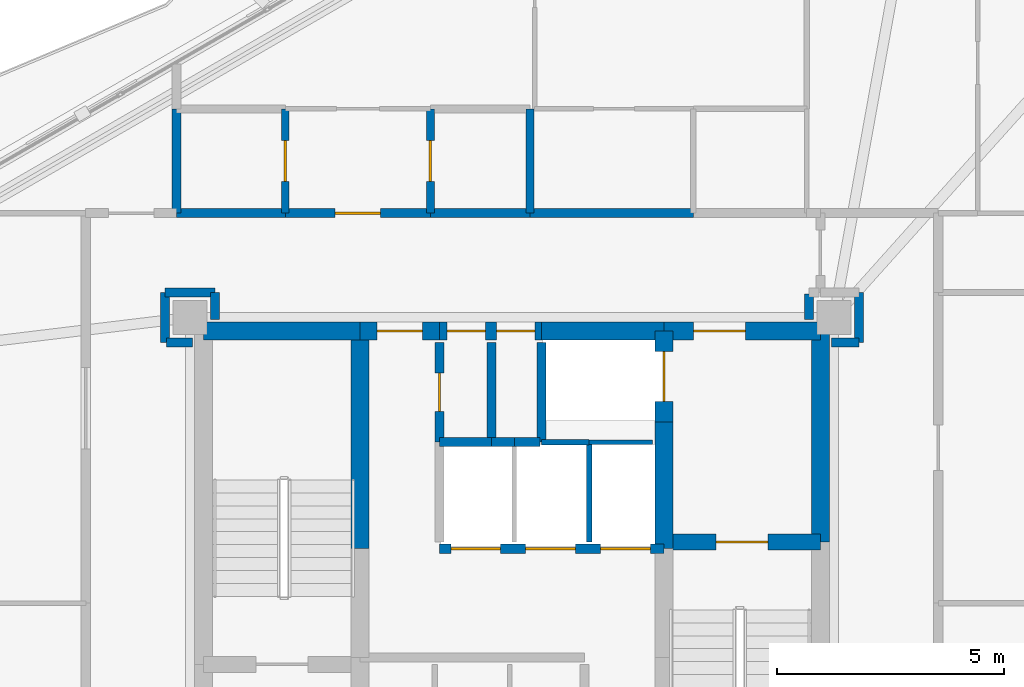
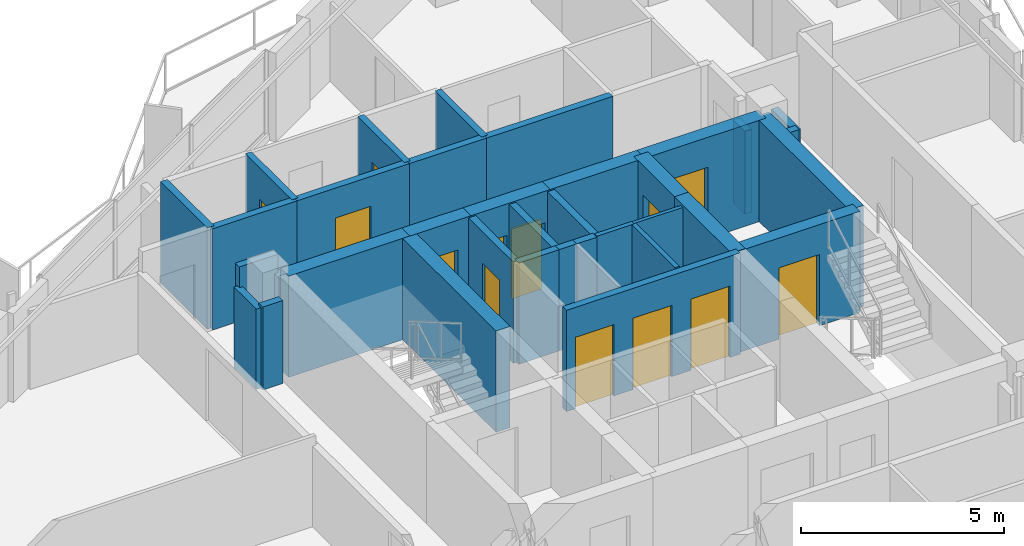
# One storey, part 17 of 22: 35 walls, 13 doors, 13 openings.
"""IFC4 building model written with IfcOpenShell, lengths in metres."""

from ifc_helpers import new_model, si_unit, direction, frame, frame_2d, origin, place, context, subcontext, project, spatial, rectangle, extrude, material, layer, layer_set, type_object, element, fill, save


model = new_model("IFC4")

# Units and contexts
model_context = context("Model", 3, precision=1e-05, world=origin(), true_north=direction((0.0, 1.0)))
body_context = subcontext(model_context, "Body", "Model", "MODEL_VIEW")
ifc_project = project(units=[si_unit("LENGTHUNIT", "METRE"), si_unit("AREAUNIT", "SQUARE_METRE"), si_unit("VOLUMEUNIT", "CUBIC_METRE"), si_unit("PLANEANGLEUNIT", "RADIAN"), si_unit("MASSUNIT", "GRAM", prefix="KILO")], contexts=[model_context])

# Site, building, storey
site_placement = place(None, origin())
site = spatial("IfcSite", under=ifc_project, at=site_placement, CompositionType="ELEMENT")
building_placement = place(site_placement, origin())
building = spatial("IfcBuilding", under=site, at=building_placement, Name="Mersakhor Tower and Convention Hall", CompositionType="ELEMENT")
storey_placement = place(building_placement, frame((0.0, 0.0, 109.800048828125)))
storey = spatial("IfcBuildingStorey", under=building, at=storey_placement, Name="L30", CompositionType="ELEMENT", Elevation=109.800048828125)

# Wall, opening, door
ifc_material_1 = material(Name="Moisture-resistant acoustic drywall studwork", Category="other")
ifc_layer_1 = layer(ifc_material_1, 0.175048828125)
ifc_layer_set_1 = layer_set([ifc_layer_1], Name="Moisture-resistant acoustic drywall studwork")
wall_type_1 = type_object("IfcWallType", Name="WL-PLM-175", PredefinedType="PLUMBINGWALL", material=ifc_layer_set_1)
wall_1_placement = place(storey_placement, frame((27.199951171875, 37.64990234375, 0.0), z_axis=(0.0, 0.0, 1.0), x_axis=(0.0, -1.0, 0.0)))
wall_1 = element("IfcWall", 1, at=wall_1_placement, inside=storey, type_object=wall_type_1, Name="L30 Interior Partition Wall P-061", PredefinedType="PLUMBINGWALL", context=body_context, shape_type="SweptSolid", body=[
    extrude(rectangle(XDim=2.2998046875, YDim=0.175048828125, at=frame_2d((1.14990234375, 0.0))), origin(), (0.0, 0.0, 1.0), 3.050048828125),
])
opening_1_placement = place(wall_1_placement, frame((0.699951171875, 0.0, 0.0)))
opening_1 = element("IfcOpeningElement", 2, at=opening_1_placement, cuts=wall_1, Name="Opening WD-01", PredefinedType="OPENING", context=body_context, shape_type="SweptSolid", body=[
    extrude(rectangle(XDim=0.89990234375, YDim=2.10009765625, at=frame_2d((0.449951171875, 1.050048828125))), frame((0.0, 0.097412109375, 0.0), z_axis=(0.0, -1.0, 0.0), x_axis=(1.0, 0.0, 0.0)), (0.0, 0.0, 1.0), 0.195068359375),
])
ifc_material_2 = material(Name="Solid-core hardwood leaf in painted steel frame", Category="steel")
door_type_1 = type_object("IfcDoorType", Name="DR-INT-WET-090x210", OperationType="NOTDEFINED", PredefinedType="DOOR", material=ifc_material_2)
door_1_placement = place(opening_1_placement, origin())
door_1 = element("IfcDoor", 3, at=door_1_placement, inside=storey, type_object=door_type_1, Name="L30 L30 Flat N1 Apartment Hall to L30 Flat N1 En-Suite Bathroom Door", OperationType="SINGLE_SWING_RIGHT", OverallHeight=2.10009765625, OverallWidth=0.89990234375, PredefinedType="DOOR", context=body_context, shape_type="SweptSolid", body=[
    extrude(rectangle(XDim=0.89990234375, YDim=2.10009765625, at=frame_2d((0.449951171875, 1.050048828125))), frame((0.0, 0.02490234375, 0.0), z_axis=(0.0, -1.0, 0.0), x_axis=(1.0, 0.0, 0.0)), (0.0, 0.0, 1.0), 0.050048828125),
])
fill(opening_1, door_1)

wall_2_placement = place(storey_placement, frame((24.0, 35.35009765625, 0.0), z_axis=(0.0, 0.0, 1.0), x_axis=(0.0, 1.0, 0.0)))
wall_2 = element("IfcWall", 4, at=wall_2_placement, inside=storey, type_object=wall_type_1, Name="L30 Interior Partition Wall P-062", PredefinedType="PLUMBINGWALL", context=body_context, shape_type="SweptSolid", body=[
    extrude(rectangle(XDim=2.2998046875, YDim=0.175048828125, at=frame_2d((1.14990234375, 0.0))), origin(), (0.0, 0.0, 1.0), 3.050048828125),
])
opening_2_placement = place(wall_2_placement, frame((0.699951171875, 0.0, 0.0)))
opening_2 = element("IfcOpeningElement", 5, at=opening_2_placement, cuts=wall_2, Name="Opening WD-01", PredefinedType="OPENING", context=body_context, shape_type="SweptSolid", body=[
    extrude(rectangle(XDim=0.89990234375, YDim=2.10009765625, at=frame_2d((0.449951171875, 1.050048828125))), frame((0.0, 0.097412109375, 0.0), z_axis=(0.0, -1.0, 0.0), x_axis=(1.0, 0.0, 0.0)), (0.0, 0.0, 1.0), 0.195068359375),
])
door_2_placement = place(opening_2_placement, origin())
door_2 = element("IfcDoor", 6, at=door_2_placement, inside=storey, type_object=door_type_1, Name="L30 L30 Flat N1 Apartment Hall to L30 Flat N1 Bathroom Door", OperationType="SINGLE_SWING_LEFT", OverallHeight=2.10009765625, OverallWidth=0.89990234375, PredefinedType="DOOR", context=body_context, shape_type="SweptSolid", body=[
    extrude(rectangle(XDim=0.89990234375, YDim=2.10009765625, at=frame_2d((0.449951171875, 1.050048828125))), frame((0.0, 0.02490234375, 0.0), z_axis=(0.0, -1.0, 0.0), x_axis=(1.0, 0.0, 0.0)), (0.0, 0.0, 1.0), 0.050048828125),
])
fill(opening_2, door_2)

# Walls
wall_3_placement = place(storey_placement, frame((29.39990234375, 37.64990234375, 0.0), z_axis=(0.0, 0.0, 1.0), x_axis=(0.0, -1.0, 0.0)))
element("IfcWall", 7, at=wall_3_placement, inside=storey, type_object=wall_type_1, Name="L30 Interior Partition Wall P-069", PredefinedType="PLUMBINGWALL", context=body_context, shape_type="SweptSolid", body=[
    extrude(rectangle(XDim=2.2998046875, YDim=0.175048828125, at=frame_2d((1.14990234375, 0.0))), origin(), (0.0, 0.0, 1.0), 3.050048828125),
])
ifc_material_3 = material(Name="Lightweight gypsum partition", Category="other")
ifc_layer_2 = layer(ifc_material_3, 0.10009765625)
ifc_layer_set_2 = layer_set([ifc_layer_2], Name="Lightweight gypsum partition")
wall_type_2 = type_object("IfcWallType", Name="WL-PRT-100", PredefinedType="PARTITIONING", material=ifc_layer_set_2)
wall_4_placement = place(storey_placement, frame((32.10009765625, 30.300048828125, 0.0), z_axis=(0.0, 0.0, 1.0), x_axis=(-1.0, 0.0, 0.0)))
element("IfcWall", 8, at=wall_4_placement, inside=storey, type_object=wall_type_2, Name="L30 Interior Partition Wall P-004", PredefinedType="PARTITIONING", context=body_context, shape_type="SweptSolid", body=[
    extrude(rectangle(XDim=1.400146484375, YDim=0.10009765625, at=frame_2d((0.7001953125, 0.0))), origin(), (0.0, 0.0, 1.0), 3.050048828125),
])
ifc_material_4 = material(Name="Gypsum board acoustic partition", Category="other")
ifc_layer_3 = layer(ifc_material_4, 0.125)
ifc_layer_set_3 = layer_set([ifc_layer_3], Name="Gypsum board acoustic partition")
wall_type_3 = type_object("IfcWallType", Name="WL-PRT-125", PredefinedType="PARTITIONING", material=ifc_layer_set_3)
wall_5_placement = place(storey_placement, frame((30.699951171875, 30.300048828125, 0.0), z_axis=(0.0, 0.0, 1.0), x_axis=(-1.0, 0.0, 0.0)))
element("IfcWall", 9, at=wall_5_placement, inside=storey, type_object=wall_type_3, Name="L30 Interior Partition Wall P-005", PredefinedType="PARTITIONING", context=body_context, shape_type="SweptSolid", body=[
    extrude(rectangle(XDim=1.050048828125, YDim=0.125, at=frame_2d((0.52490234375, 0.0))), origin(), (0.0, 0.0, 1.0), 3.050048828125),
])
wall_6_placement = place(storey_placement, frame((30.699951171875, 30.300048828125, 0.0), z_axis=(0.0, 0.0, 1.0), x_axis=(0.0, -1.0, 0.0)))
element("IfcWall", 10, at=wall_6_placement, inside=storey, type_object=wall_type_3, Name="L30 Interior Partition Wall P-017", PredefinedType="PARTITIONING", context=body_context, shape_type="SweptSolid", body=[
    extrude(rectangle(XDim=2.199951171875, YDim=0.125, at=frame_2d((1.10009765625, 0.0))), origin(), (0.0, 0.0, 1.0), 3.050048828125),
])

# Wall, openings, doors
ifc_material_5 = material(Name="Acoustic concrete blockwork and gypsum board", Category="masonry")
ifc_layer_4 = layer(ifc_material_5, 0.199951171875)
ifc_layer_set_4 = layer_set([ifc_layer_4], Name="Acoustic concrete blockwork and gypsum board")
wall_type_4 = type_object("IfcWallType", Name="WL-PRT-200", PredefinedType="PARTITIONING", material=ifc_layer_set_4)
wall_7_placement = place(storey_placement, frame((27.39990234375, 27.949951171875, 0.0), z_axis=(0.0, 0.0, 1.0), x_axis=(1.0, 0.0, 0.0)))
wall_7 = element("IfcWall", 11, at=wall_7_placement, inside=storey, type_object=wall_type_4, Name="L30 Low-Rise Lift Bank Front Wall", PredefinedType="PARTITIONING", context=body_context, shape_type="SweptSolid", body=[
    extrude(rectangle(XDim=4.9501953125, YDim=0.199951171875, at=frame_2d((2.47509765625, 0.0))), origin(), (0.0, 0.0, 1.0), 3.050048828125),
])
opening_3_placement = place(wall_7_placement, frame((0.25, 0.0, 0.0)))
opening_3 = element("IfcOpeningElement", 12, at=opening_3_placement, cuts=wall_7, Name="Opening LD-P1", PredefinedType="OPENING", context=body_context, shape_type="SweptSolid", body=[
    extrude(rectangle(XDim=1.10009765625, YDim=2.14990234375, at=frame_2d((0.550048828125, 1.074951171875))), frame((0.0, 0.10986328125, 0.0), z_axis=(0.0, -1.0, 0.0), x_axis=(1.0, 0.0, 0.0)), (0.0, 0.0, 1.0), 0.219970703125),
])
opening_4_placement = place(wall_7_placement, frame((1.89990234375, 0.0, 0.0)))
opening_4 = element("IfcOpeningElement", 13, at=opening_4_placement, cuts=wall_7, Name="Opening LD-P2", PredefinedType="OPENING", context=body_context, shape_type="SweptSolid", body=[
    extrude(rectangle(XDim=1.10009765625, YDim=2.14990234375, at=frame_2d((0.550048828125, 1.074951171875))), frame((0.0, 0.10986328125, 0.0), z_axis=(0.0, -1.0, 0.0), x_axis=(1.0, 0.0, 0.0)), (0.0, 0.0, 1.0), 0.219970703125),
])
opening_5_placement = place(wall_7_placement, frame((3.550048828125, 0.0, 0.0)))
opening_5 = element("IfcOpeningElement", 14, at=opening_5_placement, cuts=wall_7, Name="Opening LD-P3", PredefinedType="OPENING", context=body_context, shape_type="SweptSolid", body=[
    extrude(rectangle(XDim=1.10009765625, YDim=2.14990234375, at=frame_2d((0.550048828125, 1.074951171875))), frame((0.0, 0.10986328125, 0.0), z_axis=(0.0, -1.0, 0.0), x_axis=(1.0, 0.0, 0.0)), (0.0, 0.0, 1.0), 0.219970703125),
])
ifc_material_6 = material(Name="Fire-rated brushed stainless steel sliding landing door", Category="steel")
door_type_2 = type_object("IfcDoorType", Name="DR-LIFT-SLD-110x215", OperationType="NOTDEFINED", PredefinedType="DOOR", material=ifc_material_6)
door_3_placement = place(opening_3_placement, origin())
door_3 = element("IfcDoor", 15, at=door_3_placement, inside=storey, type_object=door_type_2, Name="L30 Lift Landing Door LD-P1", OperationType="SLIDING_TO_LEFT", OverallHeight=2.14990234375, OverallWidth=1.10009765625, PredefinedType="DOOR", context=body_context, shape_type="SweptSolid", body=[
    extrude(rectangle(XDim=1.10009765625, YDim=2.14990234375, at=frame_2d((0.550048828125, 1.074951171875))), frame((0.0, 0.02490234375, 0.0), z_axis=(0.0, -1.0, 0.0), x_axis=(1.0, 0.0, 0.0)), (0.0, 0.0, 1.0), 0.050048828125),
])
fill(opening_3, door_3)
door_4_placement = place(opening_4_placement, origin())
door_4 = element("IfcDoor", 16, at=door_4_placement, inside=storey, type_object=door_type_2, Name="L30 Lift Landing Door LD-P2", OperationType="SLIDING_TO_LEFT", OverallHeight=2.14990234375, OverallWidth=1.10009765625, PredefinedType="DOOR", context=body_context, shape_type="SweptSolid", body=[
    extrude(rectangle(XDim=1.10009765625, YDim=2.14990234375, at=frame_2d((0.550048828125, 1.074951171875))), frame((0.0, 0.02490234375, 0.0), z_axis=(0.0, -1.0, 0.0), x_axis=(1.0, 0.0, 0.0)), (0.0, 0.0, 1.0), 0.050048828125),
])
fill(opening_4, door_4)
door_5_placement = place(opening_5_placement, origin())
door_5 = element("IfcDoor", 17, at=door_5_placement, inside=storey, type_object=door_type_2, Name="L30 Lift Landing Door LD-P3", OperationType="SLIDING_TO_LEFT", OverallHeight=2.14990234375, OverallWidth=1.10009765625, PredefinedType="DOOR", context=body_context, shape_type="SweptSolid", body=[
    extrude(rectangle(XDim=1.10009765625, YDim=2.14990234375, at=frame_2d((0.550048828125, 1.074951171875))), frame((0.0, 0.02490234375, 0.0), z_axis=(0.0, -1.0, 0.0), x_axis=(1.0, 0.0, 0.0)), (0.0, 0.0, 1.0), 0.050048828125),
])
fill(opening_5, door_5)

# Walls
wall_8_placement = place(storey_placement, frame((29.64990234375, 30.300048828125, 0.0), z_axis=(0.0, 0.0, 1.0), x_axis=(0.0, 1.0, 0.0)))
element("IfcWall", 18, at=wall_8_placement, inside=storey, type_object=wall_type_4, Name="L30 Interior Partition Wall P-006", PredefinedType="PARTITIONING", context=body_context, shape_type="SweptSolid", body=[
    extrude(rectangle(XDim=2.199951171875, YDim=0.199951171875, at=frame_2d((1.10009765625, 0.0))), origin(), (0.0, 0.0, 1.0), 3.050048828125),
])
wall_9_placement = place(storey_placement, frame((27.39990234375, 30.300048828125, 0.0), z_axis=(0.0, 0.0, 1.0), x_axis=(1.0, 0.0, 0.0)))
element("IfcWall", 19, at=wall_9_placement, inside=storey, type_object=wall_type_4, Name="L30 Interior Partition Wall P-012", PredefinedType="PARTITIONING", context=body_context, shape_type="SweptSolid", body=[
    extrude(rectangle(XDim=1.150146484375, YDim=0.199951171875, at=frame_2d((0.5751953125, 0.0))), origin(), (0.0, 0.0, 1.0), 3.050048828125),
])
wall_10_placement = place(storey_placement, frame((28.550048828125, 30.300048828125, 0.0), z_axis=(0.0, 0.0, 1.0), x_axis=(1.0, 0.0, 0.0)))
element("IfcWall", 20, at=wall_10_placement, inside=storey, type_object=wall_type_4, Name="L30 Interior Partition Wall P-013", PredefinedType="PARTITIONING", context=body_context, shape_type="SweptSolid", body=[
    extrude(rectangle(XDim=0.5, YDim=0.199951171875, at=frame_2d((0.25, 0.0))), origin(), (0.0, 0.0, 1.0), 3.050048828125),
])
wall_11_placement = place(storey_placement, frame((29.050048828125, 30.300048828125, 0.0), z_axis=(0.0, 0.0, 1.0), x_axis=(1.0, 0.0, 0.0)))
element("IfcWall", 21, at=wall_11_placement, inside=storey, type_object=wall_type_4, Name="L30 Interior Partition Wall P-016", PredefinedType="PARTITIONING", context=body_context, shape_type="SweptSolid", body=[
    extrude(rectangle(XDim=0.570068359375, YDim=0.199951171875, at=frame_2d((0.28515625, 0.0))), origin(), (0.0, 0.0, 1.0), 3.050048828125),
])

# Wall, opening, door
wall_12_placement = place(storey_placement, frame((27.39990234375, 32.5, 0.0), z_axis=(0.0, 0.0, 1.0), x_axis=(0.0, -1.0, 0.0)))
wall_12 = element("IfcWall", 22, at=wall_12_placement, inside=storey, type_object=wall_type_4, Name="L30 Interior Partition Wall P-018", PredefinedType="PARTITIONING", context=body_context, shape_type="SweptSolid", body=[
    extrude(rectangle(XDim=2.199951171875, YDim=0.199951171875, at=frame_2d((1.10009765625, 0.0))), origin(), (0.0, 0.0, 1.0), 3.050048828125),
])
opening_6_placement = place(wall_12_placement, frame((0.675048828125, 0.0, 0.0)))
opening_6 = element("IfcOpeningElement", 23, at=opening_6_placement, cuts=wall_12, Name="Opening SVD-01", PredefinedType="OPENING", context=body_context, shape_type="SweptSolid", body=[
    extrude(rectangle(XDim=0.85009765625, YDim=2.10009765625, at=frame_2d((0.425048828125, 1.050048828125))), frame((0.0, 0.10986328125, 0.0), z_axis=(0.0, -1.0, 0.0), x_axis=(1.0, 0.0, 0.0)), (0.0, 0.0, 1.0), 0.219970703125),
])
ifc_material_7 = material(Name="Fire-rated hardwood leaf and painted steel frame", Category="steel")
door_type_3 = type_object("IfcDoorType", Name="DR-INT-SVC-085x210", OperationType="NOTDEFINED", PredefinedType="DOOR", material=ifc_material_7)
door_6_placement = place(opening_6_placement, origin())
door_6 = element("IfcDoor", 24, at=door_6_placement, inside=storey, type_object=door_type_3, Name="L30 Central Passenger Lift Lobby to Telecoms Distribution Room Door", OperationType="SINGLE_SWING_RIGHT", OverallHeight=2.10009765625, OverallWidth=0.85009765625, PredefinedType="DOOR", context=body_context, shape_type="SweptSolid", body=[
    extrude(rectangle(XDim=0.85009765625, YDim=2.10009765625, at=frame_2d((0.425048828125, 1.050048828125))), frame((0.0, 0.02490234375, 0.0), z_axis=(0.0, -1.0, 0.0), x_axis=(1.0, 0.0, 0.0)), (0.0, 0.0, 1.0), 0.050048828125),
])
fill(opening_6, door_6)

# Wall
wall_13_placement = place(storey_placement, frame((21.60009765625, 35.35009765625, 0.0), z_axis=(0.0, 0.0, 1.0), x_axis=(1.0, 0.0, 0.0)))
element("IfcWall", 25, at=wall_13_placement, inside=storey, type_object=wall_type_4, Name="L30 Interior Partition Wall P-033", PredefinedType="PARTITIONING", context=body_context, shape_type="SweptSolid", body=[
    extrude(rectangle(XDim=2.39990234375, YDim=0.199951171875, at=frame_2d((1.199951171875, 0.0))), origin(), (0.0, 0.0, 1.0), 3.050048828125),
])

# Wall, opening, door
wall_14_placement = place(storey_placement, frame((24.0, 35.35009765625, 0.0), z_axis=(0.0, 0.0, 1.0), x_axis=(1.0, 0.0, 0.0)))
wall_14 = element("IfcWall", 26, at=wall_14_placement, inside=storey, type_object=wall_type_4, Name="L30 Interior Partition Wall P-034", PredefinedType="PARTITIONING", context=body_context, shape_type="SweptSolid", body=[
    extrude(rectangle(XDim=3.199951171875, YDim=0.199951171875, at=frame_2d((1.60009765625, 0.0))), origin(), (0.0, 0.0, 1.0), 3.050048828125),
])
opening_7_placement = place(wall_14_placement, frame((1.10009765625, 0.0, 0.0)))
opening_7 = element("IfcOpeningElement", 27, at=opening_7_placement, cuts=wall_14, Name="Opening FD-01", PredefinedType="OPENING", context=body_context, shape_type="SweptSolid", body=[
    extrude(rectangle(XDim=1.0, YDim=2.14990234375, at=frame_2d((0.5, 1.074951171875))), frame((0.0, 0.10986328125, 0.0), z_axis=(0.0, -1.0, 0.0), x_axis=(1.0, 0.0, 0.0)), (0.0, 0.0, 1.0), 0.219970703125),
])
ifc_material_8 = material(Name="Fire-rated hardwood leaf and painted steel frame", Category="steel")
door_type_4 = type_object("IfcDoorType", Name="DR-INT-FLT-100x215", OperationType="NOTDEFINED", PredefinedType="DOOR", material=ifc_material_8)
door_7_placement = place(opening_7_placement, origin())
door_7 = element("IfcDoor", 28, at=door_7_placement, inside=storey, type_object=door_type_4, Name="L30 Apartment Entrance Door (Residential Ring Corridor to L30 Flat N1 Apartment Hall)", OperationType="SINGLE_SWING_LEFT", OverallHeight=2.14990234375, OverallWidth=1.0, PredefinedType="DOOR", context=body_context, shape_type="SweptSolid", body=[
    extrude(rectangle(XDim=1.0, YDim=2.14990234375, at=frame_2d((0.5, 1.074951171875))), frame((0.0, 0.02490234375, 0.0), z_axis=(0.0, -1.0, 0.0), x_axis=(1.0, 0.0, 0.0)), (0.0, 0.0, 1.0), 0.050048828125),
])
fill(opening_7, door_7)

# Walls
wall_15_placement = place(storey_placement, frame((27.199951171875, 35.35009765625, 0.0), z_axis=(0.0, 0.0, 1.0), x_axis=(1.0, 0.0, 0.0)))
element("IfcWall", 29, at=wall_15_placement, inside=storey, type_object=wall_type_4, Name="L30 Interior Partition Wall P-035", PredefinedType="PARTITIONING", context=body_context, shape_type="SweptSolid", body=[
    extrude(rectangle(XDim=2.199951171875, YDim=0.199951171875, at=frame_2d((1.10009765625, 0.0))), origin(), (0.0, 0.0, 1.0), 3.050048828125),
])
wall_16_placement = place(storey_placement, frame((29.39990234375, 35.35009765625, 0.0), z_axis=(0.0, 0.0, 1.0), x_axis=(1.0, 0.0, 0.0)))
element("IfcWall", 30, at=wall_16_placement, inside=storey, type_object=wall_type_4, Name="L30 Interior Partition Wall P-036", PredefinedType="PARTITIONING", context=body_context, shape_type="SweptSolid", body=[
    extrude(rectangle(XDim=3.60009765625, YDim=0.199951171875, at=frame_2d((1.800048828125, 0.0))), origin(), (0.0, 0.0, 1.0), 3.050048828125),
])
wall_17_placement = place(storey_placement, frame((35.550048828125, 33.570068359375, 0.0), z_axis=(0.0, 0.0, 1.0), x_axis=(0.0, -1.0, 0.0)))
element("IfcWall", 31, at=wall_17_placement, inside=storey, type_object=wall_type_4, Name="L30 Interior Partition Wall P-041", PredefinedType="PARTITIONING", context=body_context, shape_type="SweptSolid", body=[
    extrude(rectangle(XDim=0.570068359375, YDim=0.199951171875, at=frame_2d((0.28515625, 0.0))), origin(), (0.0, 0.0, 1.0), 2.498291015625),
])
wall_18_placement = place(storey_placement, frame((22.449951171875, 33.0, 0.0), z_axis=(0.0, 0.0, 1.0), x_axis=(0.0, 1.0, 0.0)))
element("IfcWall", 32, at=wall_18_placement, inside=storey, type_object=wall_type_4, Name="L30 Interior Partition Wall P-042", PredefinedType="PARTITIONING", context=body_context, shape_type="SweptSolid", body=[
    extrude(rectangle(XDim=0.60009765625, YDim=0.199951171875, at=frame_2d((0.300048828125, 0.0))), origin(), (0.0, 0.0, 1.0), 2.498291015625),
])
wall_19_placement = place(storey_placement, frame((22.449951171875, 33.60009765625, 0.0), z_axis=(0.0, 0.0, 1.0), x_axis=(-1.0, 0.0, 0.0)))
element("IfcWall", 33, at=wall_19_placement, inside=storey, type_object=wall_type_4, Name="L30 Interior Partition Wall P-043", PredefinedType="PARTITIONING", context=body_context, shape_type="SweptSolid", body=[
    extrude(rectangle(XDim=1.099853515625, YDim=0.199951171875, at=frame_2d((0.5498046875, 0.0))), origin(), (0.0, 0.0, 1.0), 3.050048828125),
])
wall_20_placement = place(storey_placement, frame((21.35009765625, 33.60009765625, 0.0), z_axis=(0.0, 0.0, 1.0), x_axis=(0.0, -1.0, 0.0)))
element("IfcWall", 34, at=wall_20_placement, inside=storey, type_object=wall_type_4, Name="L30 Interior Partition Wall P-044", PredefinedType="PARTITIONING", context=body_context, shape_type="SweptSolid", body=[
    extrude(rectangle(XDim=1.10009765625, YDim=0.199951171875, at=frame_2d((0.550048828125, 0.0))), origin(), (0.0, 0.0, 1.0), 2.4228515625),
])
wall_21_placement = place(storey_placement, frame((21.3798828125, 32.5, 0.0), z_axis=(0.0, 0.0, 1.0), x_axis=(1.0, 0.0, 0.0)))
element("IfcWall", 35, at=wall_21_placement, inside=storey, type_object=wall_type_4, Name="L30 Interior Partition Wall P-045", PredefinedType="PARTITIONING", context=body_context, shape_type="SweptSolid", body=[
    extrude(rectangle(XDim=0.570068359375, YDim=0.199951171875, at=frame_2d((0.28515625, 0.0))), origin(), (0.0, 0.0, 1.0), 2.498291015625),
])
wall_22_placement = place(storey_placement, frame((36.050048828125, 32.5, 0.0), z_axis=(0.0, 0.0, 1.0), x_axis=(1.0, 0.0, 0.0)))
element("IfcWall", 36, at=wall_22_placement, inside=storey, type_object=wall_type_4, Name="L30 Interior Partition Wall P-049", PredefinedType="PARTITIONING", context=body_context, shape_type="SweptSolid", body=[
    extrude(rectangle(XDim=0.599853515625, YDim=0.199951171875, at=frame_2d((0.2998046875, 0.0))), origin(), (0.0, 0.0, 1.0), 2.498291015625),
])
wall_23_placement = place(storey_placement, frame((36.64990234375, 32.5, 0.0), z_axis=(0.0, 0.0, 1.0), x_axis=(0.0, 1.0, 0.0)))
element("IfcWall", 37, at=wall_23_placement, inside=storey, type_object=wall_type_4, Name="L30 Interior Partition Wall P-050", PredefinedType="PARTITIONING", context=body_context, shape_type="SweptSolid", body=[
    extrude(rectangle(XDim=1.10009765625, YDim=0.199951171875, at=frame_2d((0.550048828125, 0.0))), origin(), (0.0, 0.0, 1.0), 2.4228515625),
])
wall_24_placement = place(storey_placement, frame((21.60009765625, 35.35009765625, 0.0), z_axis=(0.0, 0.0, 1.0), x_axis=(0.0, 1.0, 0.0)))
element("IfcWall", 38, at=wall_24_placement, inside=storey, type_object=wall_type_4, Name="L30 Interior Partition Wall P-067", PredefinedType="PARTITIONING", context=body_context, shape_type="SweptSolid", body=[
    extrude(rectangle(XDim=2.2998046875, YDim=0.199951171875, at=frame_2d((1.14990234375, 0.0))), origin(), (0.0, 0.0, 1.0), 3.050048828125),
])
wall_25_placement = place(storey_placement, frame((28.550048828125, 32.5, 0.0), z_axis=(0.0, 0.0, 1.0), x_axis=(0.0, -1.0, 0.0)))
element("IfcWall", 39, at=wall_25_placement, inside=storey, type_object=wall_type_4, Name="L30 Interior Partition Wall P-077", PredefinedType="PARTITIONING", context=body_context, shape_type="SweptSolid", body=[
    extrude(rectangle(XDim=2.199951171875, YDim=0.199951171875, at=frame_2d((1.10009765625, 0.0))), origin(), (0.0, 0.0, 1.0), 3.050048828125),
])

# Wall, opening, door
ifc_material_9 = material(Name="Concrete C50/60", Category="concrete")
ifc_layer_5 = layer(ifc_material_9, 0.35009765625)
ifc_layer_set_5 = layer_set([ifc_layer_5], Name="Concrete C50/60")
wall_type_5 = type_object("IfcWallType", Name="WL-SHR-350", PredefinedType="SHEAR", material=ifc_layer_set_5)
wall_26_placement = place(storey_placement, frame((32.35009765625, 28.10009765625, 0.0), z_axis=(0.0, 0.0, 1.0), x_axis=(1.0, 0.0, 0.0)))
wall_26 = element("IfcWall", 40, at=wall_26_placement, inside=storey, type_object=wall_type_5, Name="L30 Core Wall CS-ST2-N", PredefinedType="SHEAR", context=body_context, shape_type="SweptSolid", body=[
    extrude(rectangle(XDim=3.449951171875, YDim=0.35009765625, at=frame_2d((1.72509765625, 0.0))), origin(), (0.0, 0.0, 1.0), 3.050048828125),
])
opening_8_placement = place(wall_26_placement, frame((1.14990234375, 0.0, 0.0)))
opening_8 = element("IfcOpeningElement", 41, at=opening_8_placement, cuts=wall_26, Name="Opening SD-01", PredefinedType="OPENING", context=body_context, shape_type="SweptSolid", body=[
    extrude(rectangle(XDim=1.14990234375, YDim=2.14990234375, at=frame_2d((0.574951171875, 1.074951171875))), frame((0.0, 0.18505859375, 0.0), z_axis=(0.0, -1.0, 0.0), x_axis=(1.0, 0.0, 0.0)), (0.0, 0.0, 1.0), 0.3701171875),
])
ifc_material_10 = material(Name="Fire-rated hardwood leaf and painted steel frame", Category="steel")
door_type_5 = type_object("IfcDoorType", Name="DR-INT-STAIR-115x215", OperationType="NOTDEFINED", PredefinedType="DOOR", material=ifc_material_10)
door_8_placement = place(opening_8_placement, origin())
door_8 = element("IfcDoor", 42, at=door_8_placement, inside=storey, type_object=door_type_5, Name="L30 Exit Stair ST-2 Enclosure Door", OperationType="SINGLE_SWING_RIGHT", OverallHeight=2.14990234375, OverallWidth=1.14990234375, PredefinedType="DOOR", context=body_context, shape_type="SweptSolid", body=[
    extrude(rectangle(XDim=1.14990234375, YDim=2.14990234375, at=frame_2d((0.574951171875, 1.074951171875))), frame((0.0, 0.02490234375, 0.0), z_axis=(0.0, -1.0, 0.0), x_axis=(1.0, 0.0, 0.0)), (0.0, 0.0, 1.0), 0.050048828125),
])
fill(opening_8, door_8)

# Wall
ifc_material_11 = material(Name="Concrete C60/75", Category="concrete")
ifc_layer_6 = layer(ifc_material_11, 0.39990234375)
ifc_layer_set_6 = layer_set([ifc_layer_6], Name="Concrete C60/75")
wall_type_6 = type_object("IfcWallType", Name="WL-SHR-400", PredefinedType="SHEAR", material=ifc_layer_set_6)
wall_27_placement = place(storey_placement, frame((22.199951171875, 32.75, 0.0), z_axis=(0.0, 0.0, 1.0), x_axis=(1.0, 0.0, 0.0)))
element("IfcWall", 43, at=wall_27_placement, inside=storey, type_object=wall_type_6, Name="L30 Core Wall CW-N1", PredefinedType="SHEAR", context=body_context, shape_type="SweptSolid", body=[
    extrude(rectangle(XDim=3.449951171875, YDim=0.39990234375, at=frame_2d((1.72509765625, 0.0))), origin(), (0.0, 0.0, 1.0), 3.050048828125),
])

# Wall, opening, door
wall_28_placement = place(storey_placement, frame((25.64990234375, 32.75, 0.0), z_axis=(0.0, 0.0, 1.0), x_axis=(1.0, 0.0, 0.0)))
wall_28 = element("IfcWall", 44, at=wall_28_placement, inside=storey, type_object=wall_type_6, Name="L30 Core Wall CW-N2A", PredefinedType="SHEAR", context=body_context, shape_type="SweptSolid", body=[
    extrude(rectangle(XDim=1.75, YDim=0.39990234375, at=frame_2d((0.875, 0.0))), origin(), (0.0, 0.0, 1.0), 3.050048828125),
])
opening_9_placement = place(wall_28_placement, frame((0.375, 0.0, 0.0)))
opening_9 = element("IfcOpeningElement", 45, at=opening_9_placement, cuts=wall_28, Name="Opening CFD-01", PredefinedType="OPENING", context=body_context, shape_type="SweptSolid", body=[
    extrude(rectangle(XDim=1.0, YDim=2.14990234375, at=frame_2d((0.5, 1.074951171875))), frame((0.0, 0.2099609375, 0.0), z_axis=(0.0, -1.0, 0.0), x_axis=(1.0, 0.0, 0.0)), (0.0, 0.0, 1.0), 0.419921875),
])
ifc_material_12 = material(Name="Fire-rated hardwood leaf and painted steel frame", Category="steel")
door_type_6 = type_object("IfcDoorType", Name="DR-CORE-FD-100x215", OperationType="NOTDEFINED", PredefinedType="DOOR", material=ifc_material_12)
door_9_placement = place(opening_9_placement, origin())
door_9 = element("IfcDoor", 46, at=door_9_placement, inside=storey, type_object=door_type_6, Name="L30 Lift Lobby North Corridor Door", OperationType="SINGLE_SWING_LEFT", OverallHeight=2.14990234375, OverallWidth=1.0, PredefinedType="DOOR", context=body_context, shape_type="SweptSolid", body=[
    extrude(rectangle(XDim=1.0, YDim=2.14990234375, at=frame_2d((0.5, 1.074951171875))), frame((0.0, 0.02490234375, 0.0), z_axis=(0.0, -1.0, 0.0), x_axis=(1.0, 0.0, 0.0)), (0.0, 0.0, 1.0), 0.050048828125),
])
fill(opening_9, door_9)

# Wall, openings, doors
wall_29_placement = place(storey_placement, frame((27.39990234375, 32.75, 0.0), z_axis=(0.0, 0.0, 1.0), x_axis=(1.0, 0.0, 0.0)))
wall_29 = element("IfcWall", 47, at=wall_29_placement, inside=storey, type_object=wall_type_6, Name="L30 Core Wall CW-N2B", PredefinedType="SHEAR", context=body_context, shape_type="SweptSolid", body=[
    extrude(rectangle(XDim=2.25, YDim=0.39990234375, at=frame_2d((1.125, 0.0))), origin(), (0.0, 0.0, 1.0), 3.050048828125),
])
opening_10_placement = place(wall_29_placement, frame((0.169921875, 0.0, 0.0)))
opening_10 = element("IfcOpeningElement", 48, at=opening_10_placement, cuts=wall_29, Name="Opening SVD-01", PredefinedType="OPENING", context=body_context, shape_type="SweptSolid", body=[
    extrude(rectangle(XDim=0.85009765625, YDim=2.10009765625, at=frame_2d((0.425048828125, 1.050048828125))), frame((0.0, 0.2099609375, 0.0), z_axis=(0.0, -1.0, 0.0), x_axis=(1.0, 0.0, 0.0)), (0.0, 0.0, 1.0), 0.419921875),
])
opening_11_placement = place(wall_29_placement, frame((1.2548828125, 0.0, 0.0)))
opening_11 = element("IfcOpeningElement", 49, at=opening_11_placement, cuts=wall_29, Name="Opening SVD-01", PredefinedType="OPENING", context=body_context, shape_type="SweptSolid", body=[
    extrude(rectangle(XDim=0.85009765625, YDim=2.10009765625, at=frame_2d((0.425048828125, 1.050048828125))), frame((0.0, 0.2099609375, 0.0), z_axis=(0.0, -1.0, 0.0), x_axis=(1.0, 0.0, 0.0)), (0.0, 0.0, 1.0), 0.419921875),
])
door_10_placement = place(opening_10_placement, origin())
door_10 = element("IfcDoor", 50, at=door_10_placement, inside=storey, type_object=door_type_3, Name="L30 Residential Ring Corridor to Telecoms Distribution Room Door", OperationType="SINGLE_SWING_LEFT", OverallHeight=2.10009765625, OverallWidth=0.85009765625, PredefinedType="DOOR", context=body_context, shape_type="SweptSolid", body=[
    extrude(rectangle(XDim=0.85009765625, YDim=2.10009765625, at=frame_2d((0.425048828125, 1.050048828125))), frame((0.0, 0.02490234375, 0.0), z_axis=(0.0, -1.0, 0.0), x_axis=(1.0, 0.0, 0.0)), (0.0, 0.0, 1.0), 0.050048828125),
])
fill(opening_10, door_10)
door_11_placement = place(opening_11_placement, origin())
door_11 = element("IfcDoor", 51, at=door_11_placement, inside=storey, type_object=door_type_3, Name="L30 Residential Ring Corridor to Floor Housekeeping Store Room Door", OperationType="SINGLE_SWING_RIGHT", OverallHeight=2.10009765625, OverallWidth=0.85009765625, PredefinedType="DOOR", context=body_context, shape_type="SweptSolid", body=[
    extrude(rectangle(XDim=0.85009765625, YDim=2.10009765625, at=frame_2d((0.425048828125, 1.050048828125))), frame((0.0, 0.02490234375, 0.0), z_axis=(0.0, -1.0, 0.0), x_axis=(1.0, 0.0, 0.0)), (0.0, 0.0, 1.0), 0.050048828125),
])
fill(opening_11, door_11)

# Wall
wall_30_placement = place(storey_placement, frame((29.64990234375, 32.75, 0.0), z_axis=(0.0, 0.0, 1.0), x_axis=(1.0, 0.0, 0.0)))
element("IfcWall", 52, at=wall_30_placement, inside=storey, type_object=wall_type_6, Name="L30 Core Wall CW-N3", PredefinedType="SHEAR", context=body_context, shape_type="SweptSolid", body=[
    extrude(rectangle(XDim=2.7001953125, YDim=0.39990234375, at=frame_2d((1.35009765625, 0.0))), origin(), (0.0, 0.0, 1.0), 3.050048828125),
])

# Wall, opening, door
wall_31_placement = place(storey_placement, frame((32.35009765625, 32.75, 0.0), z_axis=(0.0, 0.0, 1.0), x_axis=(1.0, 0.0, 0.0)))
wall_31 = element("IfcWall", 53, at=wall_31_placement, inside=storey, type_object=wall_type_6, Name="L30 Core Wall CW-N4", PredefinedType="SHEAR", context=body_context, shape_type="SweptSolid", body=[
    extrude(rectangle(XDim=3.449951171875, YDim=0.39990234375, at=frame_2d((1.72509765625, 0.0))), origin(), (0.0, 0.0, 1.0), 3.050048828125),
])
opening_12_placement = place(wall_31_placement, frame((0.64990234375, 0.0, 0.0)))
opening_12 = element("IfcOpeningElement", 54, at=opening_12_placement, cuts=wall_31, Name="Opening SD-01", PredefinedType="OPENING", context=body_context, shape_type="SweptSolid", body=[
    extrude(rectangle(XDim=1.14990234375, YDim=2.14990234375, at=frame_2d((0.574951171875, 1.074951171875))), frame((0.0, 0.2099609375, 0.0), z_axis=(0.0, -1.0, 0.0), x_axis=(1.0, 0.0, 0.0)), (0.0, 0.0, 1.0), 0.419921875),
])
door_12_placement = place(opening_12_placement, origin())
door_12 = element("IfcDoor", 55, at=door_12_placement, inside=storey, type_object=door_type_5, Name="L30 Firefighting Lobby East Fire Door", OperationType="SINGLE_SWING_RIGHT", OverallHeight=2.14990234375, OverallWidth=1.14990234375, PredefinedType="DOOR", context=body_context, shape_type="SweptSolid", body=[
    extrude(rectangle(XDim=1.14990234375, YDim=2.14990234375, at=frame_2d((0.574951171875, 1.074951171875))), frame((0.0, 0.02490234375, 0.0), z_axis=(0.0, -1.0, 0.0), x_axis=(1.0, 0.0, 0.0)), (0.0, 0.0, 1.0), 0.050048828125),
])
fill(opening_12, door_12)

# Walls
wall_32_placement = place(storey_placement, frame((35.800048828125, 32.75, 0.0), z_axis=(0.0, 0.0, 1.0), x_axis=(0.0, -1.0, 0.0)))
element("IfcWall", 56, at=wall_32_placement, inside=storey, type_object=wall_type_6, Name="L30 Core Wall CW-E1", PredefinedType="SHEAR", context=body_context, shape_type="SweptSolid", body=[
    extrude(rectangle(XDim=4.64990234375, YDim=0.39990234375, at=frame_2d((2.324951171875, 0.0))), origin(), (0.0, 0.0, 1.0), 3.050048828125),
])
wall_33_placement = place(storey_placement, frame((25.64990234375, 27.949951171875, 0.0), z_axis=(0.0, 0.0, 1.0), x_axis=(0.0, 1.0, 0.0)))
element("IfcWall", 57, at=wall_33_placement, inside=storey, type_object=wall_type_6, Name="L30 Core Wall CS-W-ST1", PredefinedType="SHEAR", context=body_context, shape_type="SweptSolid", body=[
    extrude(rectangle(XDim=4.800048828125, YDim=0.39990234375, at=frame_2d((2.39990234375, 0.0))), origin(), (0.0, 0.0, 1.0), 3.050048828125),
])
wall_34_placement = place(storey_placement, frame((32.35009765625, 27.949951171875, 0.0), z_axis=(0.0, 0.0, 1.0), x_axis=(0.0, 1.0, 0.0)))
element("IfcWall", 58, at=wall_34_placement, inside=storey, type_object=wall_type_6, Name="L30 Core Wall CS-E-MID", PredefinedType="SHEAR", context=body_context, shape_type="SweptSolid", body=[
    extrude(rectangle(XDim=2.800048828125, YDim=0.39990234375, at=frame_2d((1.39990234375, 0.0))), origin(), (0.0, 0.0, 1.0), 3.050048828125),
])

# Wall, opening, door
wall_35_placement = place(storey_placement, frame((32.35009765625, 30.75, 0.0), z_axis=(0.0, 0.0, 1.0), x_axis=(0.0, 1.0, 0.0)))
wall_35 = element("IfcWall", 59, at=wall_35_placement, inside=storey, type_object=wall_type_6, Name="L30 Core Wall CS-E-FFL", PredefinedType="SHEAR", context=body_context, shape_type="SweptSolid", body=[
    extrude(rectangle(XDim=2.0, YDim=0.39990234375, at=frame_2d((1.0, 0.0))), origin(), (0.0, 0.0, 1.0), 3.050048828125),
])
opening_13_placement = place(wall_35_placement, frame((0.449951171875, 0.0, 0.0)))
opening_13 = element("IfcOpeningElement", 60, at=opening_13_placement, cuts=wall_35, Name="Opening LD-FFL2", PredefinedType="OPENING", context=body_context, shape_type="SweptSolid", body=[
    extrude(rectangle(XDim=1.10009765625, YDim=2.14990234375, at=frame_2d((0.550048828125, 1.074951171875))), frame((0.0, 0.2099609375, 0.0), z_axis=(0.0, -1.0, 0.0), x_axis=(1.0, 0.0, 0.0)), (0.0, 0.0, 1.0), 0.419921875),
])
door_13_placement = place(opening_13_placement, origin())
door_13 = element("IfcDoor", 61, at=door_13_placement, inside=storey, type_object=door_type_2, Name="L30 Firefighting Lift Landing Door LD-FFL2", OperationType="SLIDING_TO_LEFT", OverallHeight=2.14990234375, OverallWidth=1.10009765625, PredefinedType="DOOR", context=body_context, shape_type="SweptSolid", body=[
    extrude(rectangle(XDim=1.10009765625, YDim=2.14990234375, at=frame_2d((0.550048828125, 1.074951171875))), frame((0.0, 0.02490234375, 0.0), z_axis=(0.0, -1.0, 0.0), x_axis=(1.0, 0.0, 0.0)), (0.0, 0.0, 1.0), 0.050048828125),
])
fill(opening_13, door_13)

save(model, "model.ifc")
